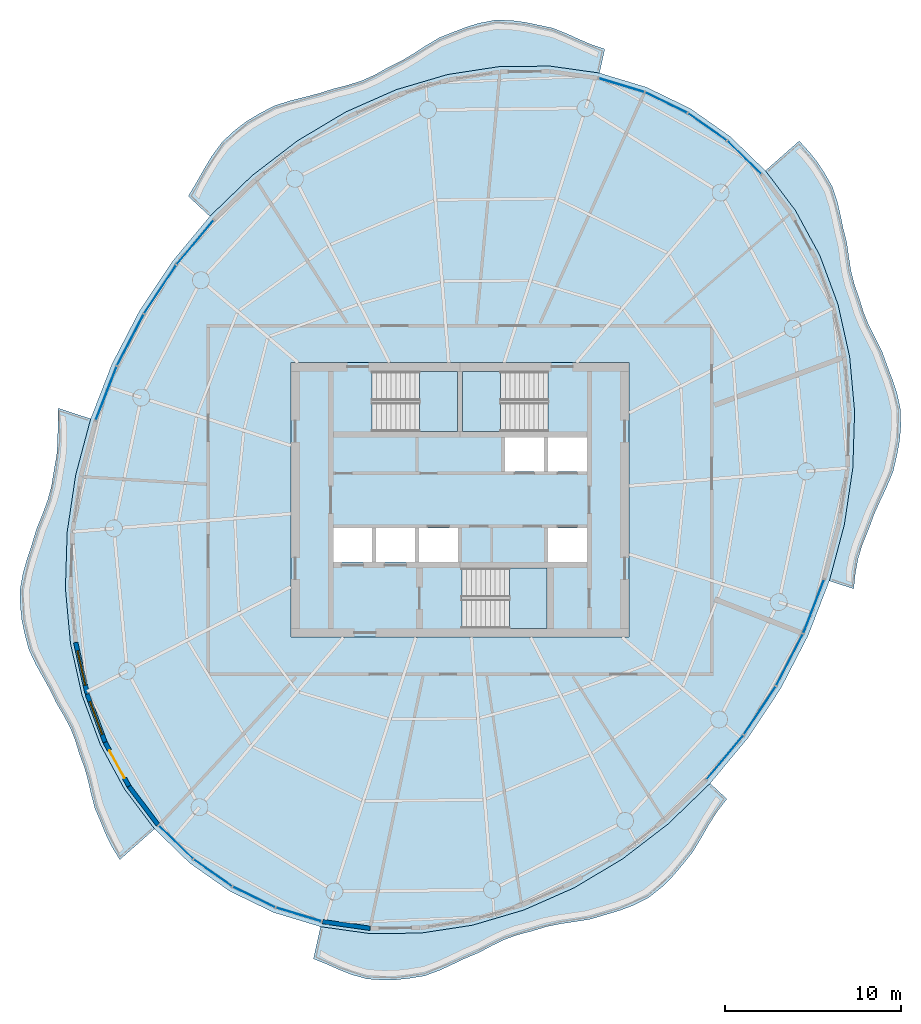
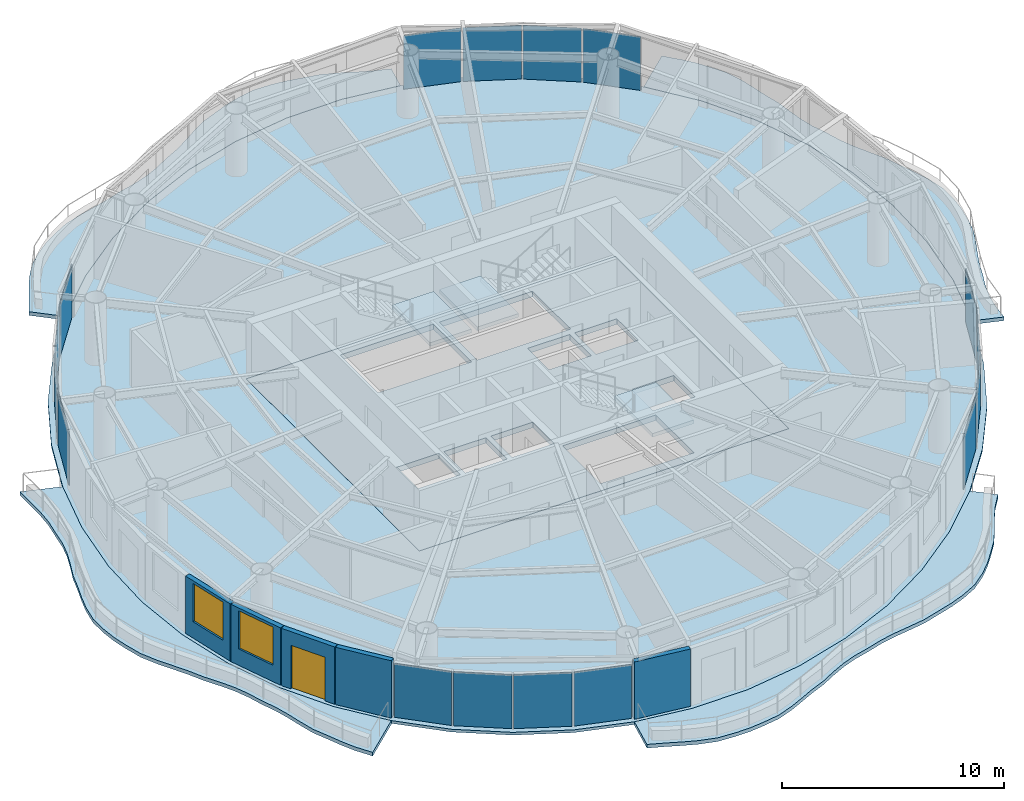
# One storey, part 6 of 13: 16 plates, 9 slabs, 5 walls, 2 windows, 1 door, 3 openings, 19 elements without a shape of their own.
"""IFC4 building model written with IfcOpenShell, lengths in metres."""

from ifc_helpers import new_model, si_unit, direction, frame, frame_2d, origin, origin_2d, place, context, subcontext, project, spatial, polyline, rectangle, outline, extrude, material, layer, layer_set, type_object, element, fill, aggregate, save


model = new_model("IFC4")

# Units and contexts
model_context = context("Model", 3, precision=1e-05, world=origin(), true_north=direction((0.0, 1.0)))
body_context = subcontext(model_context, "Body", "Model", "MODEL_VIEW")
ifc_project = project(units=[si_unit("LENGTHUNIT", "METRE"), si_unit("AREAUNIT", "SQUARE_METRE"), si_unit("VOLUMEUNIT", "CUBIC_METRE"), si_unit("PLANEANGLEUNIT", "RADIAN"), si_unit("MASSUNIT", "GRAM", prefix="KILO")], contexts=[model_context])

# Site, building, storey
site_placement = place(None, origin())
site = spatial("IfcSite", under=ifc_project, at=site_placement, CompositionType="ELEMENT")
building_placement = place(site_placement, origin())
building = spatial("IfcBuilding", under=site, at=building_placement, Name="Vermilion Reach Broadcast Tower", CompositionType="ELEMENT")
storey_placement = place(building_placement, frame((0.0, 0.0, 272.10009765625)))
storey = spatial("IfcBuildingStorey", under=building, at=storey_placement, Name="L67", CompositionType="ELEMENT", Elevation=272.10009765625)

# Slabs
ifc_material_1 = material(Name="Concrete C40/50", Category="concrete")
ifc_layer_1 = layer(ifc_material_1, 0.199951171875)
ifc_layer_set_1 = layer_set([ifc_layer_1], Name="Balcony slab 200")
slab_type_1 = type_object("IfcSlabType", Name="Balcony slab 200", PredefinedType="FLOOR", material=ifc_layer_set_1)
placement_1 = place(storey_placement, frame((0.0, 0.0, -0.2001953125)))
element("IfcSlab", 1, at=placement_1, inside=storey, type_object=slab_type_1, Name="Balcony slab L67 group 1", PredefinedType="FLOOR", context=body_context, shape_type="SweptSolid", body=[
    extrude(outline(polyline([(1.922119140625, 24.24365234375), (-0.8837890625, 24.63671875), (-3.77734375, 24.608642578125), (-6.708984375, 24.1591796875), (-9.62841796875, 23.296630859375), (-12.48583984375, 22.03515625), (-15.232177734375, 20.39697265625), (-17.820556640625, 18.40966796875), (-20.206787109375, 16.107177734375), (-21.438232421875, 17.250732421875), (-20.946044921875, 18.067138671875), (-20.5224609375, 18.822021484375), (-20.0791015625, 19.556396484375), (-19.491943359375, 20.349365234375), (-18.781494140625, 21.00048828125), (-18.1328125, 21.495361328125), (-17.431396484375, 21.921630859375), (-16.57373046875, 22.37353515625), (-15.657958984375, 22.6708984375), (-14.84814453125, 22.874267578125), (-14.03955078125, 23.079345703125), (-13.1689453125, 23.357666015625), (-12.3115234375, 23.573974609375), (-11.565673828125, 23.818115234375), (-10.85205078125, 24.134765625), (-10.09130859375, 24.55859375), (-9.320068359375, 24.93896484375), (-8.64599609375, 25.343017578125), (-7.97998046875, 25.775146484375), (-7.176513671875, 26.25244140625), (-6.331298828125, 26.5888671875), (-5.623046875, 26.862548828125), (-4.90625, 27.079345703125), (-3.9921875, 27.256591796875), (-3.07958984375, 27.2314453125), (-2.355224609375, 27.138427734375), (-1.63037109375, 26.98974609375), (-0.743408203125, 26.802001953125), (0.08837890625, 26.470458984375), (0.760498046875, 26.1611328125), (1.43505859375, 25.871826171875), (2.221923828125, 25.605712890625), (1.922119140625, 24.24365234375)])), origin(), (0.0, 0.0, 1.0), 0.2001953125),
])
element("IfcSlab", 2, at=placement_1, inside=storey, type_object=slab_type_1, Name="Balcony slab L67 group 2", PredefinedType="FLOOR", context=body_context, shape_type="SweptSolid", body=[
    extrude(outline(polyline([(-26.978515625, 4.60205078125), (-27.8330078125, 1.398193359375), (-28.314208984375, -1.82958984375), (-28.413330078125, -5.02587890625), (-28.129150390625, -8.13623046875), (-27.466064453125, -11.107421875), (-26.435791015625, -13.888671875), (-25.055908203125, -16.43212890625), (-23.35009765625, -18.694580078125), (-25.324462890625, -20.43798828125), (-25.8037109375, -19.65771484375), (-26.1162109375, -19.005859375), (-26.394775390625, -18.328857421875), (-26.743408203125, -17.517578125), (-26.967041015625, -16.645751953125), (-27.1337890625, -15.913330078125), (-27.3330078125, -15.198486328125), (-27.622802734375, -14.42724609375), (-27.86669921875, -13.6279296875), (-28.146240234375, -12.94091796875), (-28.49169921875, -12.278076171875), (-28.92919921875, -11.53955078125), (-29.316650390625, -10.74072265625), (-29.705322265625, -10.047607421875), (-30.093505859375, -9.3544921875), (-30.490234375, -8.506103515625), (-30.73291015625, -7.59033203125), (-30.8935546875, -6.82080078125), (-30.97607421875, -6.044189453125), (-30.993408203125, -5.103515625), (-30.819091796875, -4.1513671875), (-30.591796875, -3.358642578125), (-30.3310546875, -2.56689453125), (-30.061767578125, -1.672607421875), (-29.707275390625, -0.797119140625), (-29.419921875, -0.014892578125), (-29.205810546875, 0.77783203125), (-29.06591796875, 1.653564453125), (-28.91064453125, 2.543701171875), (-28.8505859375, 3.385498046875), (-28.847412109375, 4.24267578125), (-28.845947265625, 5.211669921875), (-26.978515625, 4.60205078125)])), origin(), (0.0, 0.0, 1.0), 0.2001953125),
])
element("IfcSlab", 3, at=placement_1, inside=storey, type_object=slab_type_1, Name="Balcony slab L67 group 3", PredefinedType="FLOOR", context=body_context, shape_type="SweptSolid", body=[
    extrude(outline(polyline([(-13.922119140625, -24.24365234375), (-11.1162109375, -24.63671875), (-8.22265625, -24.608642578125), (-5.291015625, -24.1591796875), (-2.37158203125, -23.296630859375), (0.48583984375, -22.03515625), (3.232177734375, -20.39697265625), (5.820556640625, -18.40966796875), (8.206787109375, -16.107177734375), (9.158935546875, -16.991455078125), (8.6025390625, -17.711181640625), (8.144287109375, -18.43017578125), (7.715087890625, -19.178955078125), (7.206787109375, -20.0185546875), (6.602294921875, -20.767333984375), (6.0625, -21.404052734375), (5.479248046875, -21.983642578125), (4.72119140625, -22.59033203125), (3.867919921875, -23.02294921875), (3.108642578125, -23.31103515625), (2.3193359375, -23.54833984375), (1.406982421875, -23.818603515625), (0.485107421875, -23.96728515625), (-0.316162109375, -24.085693359375), (-1.098876953125, -24.245849609375), (-1.9306640625, -24.4990234375), (-2.7470703125, -24.711669921875), (-3.462890625, -24.974365234375), (-4.15869140625, -25.30517578125), (-4.94189453125, -25.722412109375), (-5.75, -26.059326171875), (-6.44873046875, -26.394287109375), (-7.148681640625, -26.720703125), (-8.025146484375, -27.04248046875), (-8.9208984375, -27.183837890625), (-9.6435546875, -27.26220703125), (-10.366943359375, -27.2724609375), (-11.283447265625, -27.216064453125), (-12.158203125, -26.96826171875), (-12.8359375, -26.699951171875), (-13.50927734375, -26.400390625), (-14.32373046875, -26.068603515625), (-13.922119140625, -24.24365234375)])), origin(), (0.0, 0.0, 1.0), 0.2001953125),
])
element("IfcSlab", 4, at=placement_1, inside=storey, type_object=slab_type_1, Name="Balcony slab L67 group 4", PredefinedType="FLOOR", context=body_context, shape_type="SweptSolid", body=[
    extrude(outline(polyline([(14.978515625, -4.60205078125), (15.8330078125, -1.398193359375), (16.314208984375, 1.82958984375), (16.413330078125, 5.02587890625), (16.129150390625, 8.13623046875), (15.466064453125, 11.107421875), (14.435791015625, 13.888671875), (13.055908203125, 16.43212890625), (11.35009765625, 18.694580078125), (13.267578125, 20.3876953125), (13.877685546875, 19.713134765625), (14.317138671875, 19.157470703125), (14.7041015625, 18.56201171875), (15.153564453125, 17.78125), (15.441162109375, 16.903076171875), (15.608154296875, 16.170654296875), (15.76025390625, 15.43017578125), (15.974365234375, 14.586669921875), (16.09326171875, 13.7119140625), (16.215087890625, 12.96630859375), (16.3955078125, 12.242431640625), (16.671875, 11.463623046875), (16.91796875, 10.651611328125), (17.212890625, 9.937744140625), (17.561279296875, 9.235595703125), (17.968994140625, 8.424560546875), (18.287109375, 7.549560546875), (18.57763671875, 6.7919921875), (18.826416015625, 6.030517578125), (19.027099609375, 5.1044921875), (19.037109375, 4.14453125), (18.968017578125, 3.346923828125), (18.819580078125, 2.551513671875), (18.603271484375, 1.6240234375), (18.231689453125, 0.71875), (17.866455078125, -0.051513671875), (17.51806640625, -0.824462890625), (17.203857421875, -1.68212890625), (16.857421875, -2.529296875), (16.614990234375, -3.322509765625), (16.459716796875, -4.13916015625), (16.36376953125, -5.05419921875), (14.978515625, -4.60205078125)])), origin(), (0.0, 0.0, 1.0), 0.2001953125),
])
ifc_material_2 = material(Name="Concrete C40", Category="concrete")
ifc_layer_2 = layer(ifc_material_2, 0.300048828125)
ifc_layer_set_2 = layer_set([ifc_layer_2], Name="Core floor slab 300 mm Concrete C40")
slab_type_2 = type_object("IfcSlabType", Name="Core floor slab 300 mm Concrete C40", PredefinedType="FLOOR", material=ifc_layer_set_2)
slab_5_placement = place(storey_placement, frame((0.0, 0.0, -0.300048828125)))
element("IfcSlab", 5, at=slab_5_placement, inside=storey, type_object=slab_type_2, Name="L67 core floor", PredefinedType="FLOOR", context=body_context, shape_type="SweptSolid", body=[
    extrude(outline(polyline([(-15.60009765625, -7.800048828125), (3.60009765625, -7.800048828125), (3.60009765625, 7.800048828125), (-15.60009765625, 7.800048828125), (-15.60009765625, -7.800048828125)]), holes=[polyline([(-3.433349609375, 1.60009765625), (-1.24169921875, 1.60009765625), (-1.24169921875, 3.530029296875), (-3.433349609375, 3.530029296875), (-3.433349609375, 1.60009765625)]), polyline([(-0.99169921875, 1.60009765625), (1.199951171875, 1.60009765625), (1.199951171875, 3.530029296875), (-0.99169921875, 3.530029296875), (-0.99169921875, 1.60009765625)]), polyline([(-13.199951171875, -3.530029296875), (-11.00830078125, -3.530029296875), (-11.00830078125, -1.60009765625), (-13.199951171875, -1.60009765625), (-13.199951171875, -3.530029296875)]), polyline([(-10.75830078125, -3.530029296875), (-8.566650390625, -3.530029296875), (-8.566650390625, -1.60009765625), (-10.75830078125, -1.60009765625), (-10.75830078125, -3.530029296875)]), polyline([(-8.316650390625, -3.530029296875), (-6.125, -3.530029296875), (-6.125, -1.60009765625), (-8.316650390625, -1.60009765625), (-8.316650390625, -3.530029296875)]), polyline([(-0.99169921875, -3.530029296875), (1.199951171875, -3.530029296875), (1.199951171875, -1.60009765625), (-0.99169921875, -1.60009765625), (-0.99169921875, -3.530029296875)]), polyline([(-10.999267578125, 3.8798828125), (-6.14990234375, 3.8798828125), (-6.14990234375, 7.300048828125), (-10.999267578125, 7.300048828125), (-10.999267578125, 3.8798828125)]), polyline([(-1.000732421875, 7.300048828125), (-5.85009765625, 7.300048828125), (-5.85009765625, 3.8798828125), (-1.000732421875, 3.8798828125), (-1.000732421875, 7.300048828125)]), polyline([(-5.8994140625, -7.300048828125), (-1.050048828125, -7.300048828125), (-1.050048828125, -3.8798828125), (-5.8994140625, -3.8798828125), (-5.8994140625, -7.300048828125)])]), origin(), (0.0, 0.0, 1.0), 0.300048828125),
])

# Stair, slab
ifc_material_3 = material(Name="Concrete C40", Category="concrete")
stair_type = type_object("IfcStairType", Name="Exit stair RC 22 risers 164 mm", PredefinedType="HALF_TURN_STAIR", material=ifc_material_3)
placement_2 = place(storey_placement, origin())
stair_1 = element("IfcStair", 6, at=placement_2, inside=storey, type_object=stair_type, Name="L67 Exit stair ST1", PredefinedType="HALF_TURN_STAIR")
ifc_material_4 = material(Name="Concrete C40", Category="concrete")
ifc_layer_3 = layer(ifc_material_4, 0.199951171875)
ifc_layer_set_3 = layer_set([ifc_layer_3], Name="Exit stair landing Concrete C40")
slab_type_3 = type_object("IfcSlabType", Name="Exit stair landing Concrete C40", PredefinedType="LANDING", material=ifc_layer_set_3)
placement_3 = place(storey_placement, frame((0.0, 0.0, 1.599853515625)))
slab_6 = element("IfcSlab", 7, at=placement_3, type_object=slab_type_3, Name="ST1 landing 1", PredefinedType="LANDING", context=body_context, shape_type="SweptSolid", body=[
    extrude(outline(polyline([(-8.300048828125, 3.8798828125), (-6.14990234375, 3.8798828125), (-6.14990234375, 7.300048828125), (-8.300048828125, 7.300048828125), (-8.300048828125, 3.8798828125)])), origin(), (0.0, 0.0, 1.0), 0.199951171875),
])
aggregate(stair_1, [slab_6])

stair_2 = element("IfcStair", 8, at=placement_2, inside=storey, type_object=stair_type, Name="L67 Exit stair ST2", PredefinedType="HALF_TURN_STAIR")
slab_7 = element("IfcSlab", 9, at=placement_3, type_object=slab_type_3, Name="ST2 landing 1", PredefinedType="LANDING", context=body_context, shape_type="SweptSolid", body=[
    extrude(outline(polyline([(-3.699951171875, 7.300048828125), (-5.85009765625, 7.300048828125), (-5.85009765625, 3.8798828125), (-3.699951171875, 3.8798828125), (-3.699951171875, 7.300048828125)])), origin(), (0.0, 0.0, 1.0), 0.199951171875),
])
aggregate(stair_2, [slab_7])

stair_3 = element("IfcStair", 10, at=placement_2, inside=storey, type_object=stair_type, Name="L67 Exit stair ST3", PredefinedType="HALF_TURN_STAIR")
slab_8 = element("IfcSlab", 11, at=placement_3, type_object=slab_type_3, Name="ST3 landing 1", PredefinedType="LANDING", context=body_context, shape_type="SweptSolid", body=[
    extrude(outline(polyline([(-3.199951171875, -7.300048828125), (-1.050048828125, -7.300048828125), (-1.050048828125, -3.8798828125), (-3.199951171875, -3.8798828125), (-3.199951171875, -7.300048828125)])), origin(), (0.0, 0.0, 1.0), 0.199951171875),
])
aggregate(stair_3, [slab_8])

# Slab
ifc_material_5 = material(Name="Concrete C40", Category="concrete")
ifc_layer_4 = layer(ifc_material_5, 0.14990234375)
ifc_layer_set_4 = layer_set([ifc_layer_4], Name="Floor slab Concrete C40 composite 150")
slab_type_4 = type_object("IfcSlabType", Name="Floor slab Concrete C40 composite 150", PredefinedType="FLOOR", material=ifc_layer_set_4)
slab_9_placement = place(storey_placement, frame((0.0, 0.0, -0.150146484375)))
element("IfcSlab", 12, at=slab_9_placement, inside=storey, type_object=slab_type_4, Name="Floor slab L67", PredefinedType="FLOOR", context=body_context, shape_type="SweptSolid", body=[
    extrude(outline(polyline([(7.081787109375, 22.226318359375), (4.5927734375, 23.435546875), (1.922119140625, 24.24365234375), (-0.8837890625, 24.63671875), (-3.77734375, 24.608642578125), (-6.708984375, 24.1591796875), (-9.62841796875, 23.296630859375), (-12.48583984375, 22.03515625), (-15.232177734375, 20.39697265625), (-17.820556640625, 18.40966796875), (-20.206787109375, 16.107177734375), (-22.349853515625, 13.529296875), (-24.21337890625, 10.719970703125), (-25.764892578125, 7.72705078125), (-26.978515625, 4.60205078125), (-27.8330078125, 1.398193359375), (-28.314208984375, -1.82958984375), (-28.413330078125, -5.02587890625), (-28.129150390625, -8.13623046875), (-27.466064453125, -11.107421875), (-26.435791015625, -13.888671875), (-25.055908203125, -16.43212890625), (-23.35009765625, -18.694580078125), (-21.347412109375, -20.636962890625), (-19.081787109375, -22.226318359375), (-16.5927734375, -23.435546875), (-13.922119140625, -24.24365234375), (-11.1162109375, -24.63671875), (-8.22265625, -24.608642578125), (-5.291015625, -24.1591796875), (-2.37158203125, -23.296630859375), (0.48583984375, -22.03515625), (3.232177734375, -20.39697265625), (5.820556640625, -18.40966796875), (8.206787109375, -16.107177734375), (10.349853515625, -13.529296875), (12.21337890625, -10.719970703125), (13.764892578125, -7.72705078125), (14.978515625, -4.60205078125), (15.8330078125, -1.398193359375), (16.314208984375, 1.82958984375), (16.413330078125, 5.02587890625), (16.129150390625, 8.13623046875), (15.466064453125, 11.107421875), (14.435791015625, 13.888671875), (13.055908203125, 16.43212890625), (11.35009765625, 18.694580078125), (9.347412109375, 20.636962890625), (7.081787109375, 22.226318359375)]), holes=[polyline([(-15.60009765625, -7.800048828125), (3.60009765625, -7.800048828125), (3.60009765625, 7.800048828125), (-15.60009765625, 7.800048828125), (-15.60009765625, -7.800048828125)])]), origin(), (0.0, 0.0, 1.0), 0.150146484375),
])

# Curtain wall, plate
ifc_material_6 = material(Name="Low-e laminated clear glass in aluminium frame", Category="aluminium")
curtain_wall_type = type_object("IfcCurtainWallType", Name="Slot curtain wall", PredefinedType="NOTDEFINED", material=ifc_material_6)
curtain_wall_1 = element("IfcCurtainWall", 13, at=placement_2, inside=storey, type_object=curtain_wall_type, Name="Slot curtain wall L67 46", PredefinedType="NOTDEFINED")
ifc_material_7 = material(Name="Low-e laminated clear glass", Category="glass")
ifc_layer_5 = layer(ifc_material_7, 0.028076171875)
ifc_layer_set_5 = layer_set([ifc_layer_5], Name="Slot glass panel")
plate_type = type_object("IfcPlateType", Name="Slot glass panel", PredefinedType="CURTAIN_PANEL", material=ifc_layer_set_5)
plate_1_placement = place(storey_placement, frame((10.140625, 19.450927734375, 0.0), z_axis=(0.0, 0.0, 1.0), x_axis=(-0.717827761975, 0.696220729466, 0.0)))
plate_1 = element("IfcPlate", 14, at=plate_1_placement, type_object=plate_type, Name="Slot glass panel L67 46", PredefinedType="CURTAIN_PANEL", context=body_context, shape_type="SweptSolid", body=[
    extrude(rectangle(XDim=2.6630859375, YDim=0.028076171875, at=origin_2d()), origin(), (0.0, 0.0, 1.0), 2.949951171875),
])
aggregate(curtain_wall_1, [plate_1])

curtain_wall_2 = element("IfcCurtainWall", 15, at=placement_2, inside=storey, type_object=curtain_wall_type, Name="Slot curtain wall L67 47", PredefinedType="NOTDEFINED")
plate_2_placement = place(storey_placement, frame((8.04296875, 21.186767578125, 0.0), z_axis=(0.0, 0.0, 1.0), x_axis=(-0.818618550215, 0.574337591704, 0.0)))
plate_2 = element("IfcPlate", 16, at=plate_2_placement, type_object=plate_type, Name="Slot glass panel L67 47", PredefinedType="CURTAIN_PANEL", context=body_context, shape_type="SweptSolid", body=[
    extrude(rectangle(XDim=2.6396484375, YDim=0.028076171875, at=origin_2d()), origin(), (0.0, 0.0, 1.0), 2.949951171875),
])
aggregate(curtain_wall_2, [plate_2])

curtain_wall_3 = element("IfcCurtainWall", 17, at=placement_2, inside=storey, type_object=curtain_wall_type, Name="Slot curtain wall L67 00", PredefinedType="NOTDEFINED")
plate_3_placement = place(storey_placement, frame((5.70654296875, 22.56201171875, 0.0), z_axis=(0.0, 0.0, 1.0), x_axis=(-0.899506275857, 0.436907838901, 0.0)))
plate_3 = element("IfcPlate", 18, at=plate_3_placement, type_object=plate_type, Name="Slot glass panel L67 00", PredefinedType="CURTAIN_PANEL", context=body_context, shape_type="SweptSolid", body=[
    extrude(rectangle(XDim=2.6396484375, YDim=0.028076171875, at=origin_2d()), origin(), (0.0, 0.0, 1.0), 2.949951171875),
])
aggregate(curtain_wall_3, [plate_3])

curtain_wall_4 = element("IfcCurtainWall", 19, at=placement_2, inside=storey, type_object=curtain_wall_type, Name="Slot curtain wall L67 01", PredefinedType="NOTDEFINED")
plate_4_placement = place(storey_placement, frame((3.170654296875, 23.55322265625, 0.0), z_axis=(0.0, 0.0, 1.0), x_axis=(-0.957140656179, 0.289623487115, 0.0)))
plate_4 = element("IfcPlate", 20, at=plate_4_placement, type_object=plate_type, Name="Slot glass panel L67 01", PredefinedType="CURTAIN_PANEL", context=body_context, shape_type="SweptSolid", body=[
    extrude(rectangle(XDim=2.6630859375, YDim=0.028076171875, at=origin_2d()), origin(), (0.0, 0.0, 1.0), 2.949951171875),
])
aggregate(curtain_wall_4, [plate_4])

curtain_wall_5 = element("IfcCurtainWall", 21, at=placement_2, inside=storey, type_object=curtain_wall_type, Name="Slot curtain wall L67 10", PredefinedType="NOTDEFINED")
plate_5_placement = place(storey_placement, frame((-21.048095703125, 14.626708984375, 0.0), z_axis=(0.0, 0.0, 1.0), x_axis=(-0.639271779784, -0.768980878547, 0.0)))
plate_5 = element("IfcPlate", 22, at=plate_5_placement, type_object=plate_type, Name="Slot glass panel L67 10", PredefinedType="CURTAIN_PANEL", context=body_context, shape_type="SweptSolid", body=[
    extrude(rectangle(XDim=3.23974609375, YDim=0.028076171875, at=origin_2d()), origin(), (0.0, 0.0, 1.0), 2.949951171875),
])
aggregate(curtain_wall_5, [plate_5])

curtain_wall_6 = element("IfcCurtainWall", 23, at=placement_2, inside=storey, type_object=curtain_wall_type, Name="Slot curtain wall L67 11", PredefinedType="NOTDEFINED")
plate_6_placement = place(storey_placement, frame((-23.031982421875, 11.958984375, 0.0), z_axis=(0.0, 0.0, 1.0), x_axis=(-0.552727298451, -0.833362186296, 0.0)))
plate_6 = element("IfcPlate", 24, at=plate_6_placement, type_object=plate_type, Name="Slot glass panel L67 11", PredefinedType="CURTAIN_PANEL", context=body_context, shape_type="SweptSolid", body=[
    extrude(rectangle(XDim=3.259033203125, YDim=0.028076171875, at=origin_2d()), origin(), (0.0, 0.0, 1.0), 2.949951171875),
])
aggregate(curtain_wall_6, [plate_6])

curtain_wall_7 = element("IfcCurtainWall", 25, at=placement_2, inside=storey, type_object=curtain_wall_type, Name="Slot curtain wall L67 12", PredefinedType="NOTDEFINED")
plate_7_placement = place(storey_placement, frame((-24.72314453125, 9.085693359375, 0.0), z_axis=(0.0, 0.0, 1.0), x_axis=(-0.46028786976, -0.887769720678, 0.0)))
plate_7 = element("IfcPlate", 26, at=plate_7_placement, type_object=plate_type, Name="Slot glass panel L67 12", PredefinedType="CURTAIN_PANEL", context=body_context, shape_type="SweptSolid", body=[
    extrude(rectangle(XDim=3.259033203125, YDim=0.028076171875, at=origin_2d()), origin(), (0.0, 0.0, 1.0), 2.949951171875),
])
aggregate(curtain_wall_7, [plate_7])

curtain_wall_8 = element("IfcCurtainWall", 27, at=placement_2, inside=storey, type_object=curtain_wall_type, Name="Slot curtain wall L67 13", PredefinedType="NOTDEFINED")
plate_8_placement = place(storey_placement, frame((-26.092529296875, 6.05615234375, 0.0), z_axis=(0.0, 0.0, 1.0), x_axis=(-0.361989854727, -0.932182034302, 0.0)))
plate_8 = element("IfcPlate", 28, at=plate_8_placement, type_object=plate_type, Name="Slot glass panel L67 13", PredefinedType="CURTAIN_PANEL", context=body_context, shape_type="SweptSolid", body=[
    extrude(rectangle(XDim=3.23974609375, YDim=0.028076171875, at=origin_2d()), origin(), (0.0, 0.0, 1.0), 2.949951171875),
])
aggregate(curtain_wall_8, [plate_8])

curtain_wall_9 = element("IfcCurtainWall", 29, at=placement_2, inside=storey, type_object=curtain_wall_type, Name="Slot curtain wall L67 22", PredefinedType="NOTDEFINED")
plate_9_placement = place(storey_placement, frame((-22.140625, -19.450927734375, 0.0), z_axis=(0.0, 0.0, 1.0), x_axis=(0.717827761975, -0.696220729466, 0.0)))
plate_9 = element("IfcPlate", 30, at=plate_9_placement, type_object=plate_type, Name="Slot glass panel L67 22", PredefinedType="CURTAIN_PANEL", context=body_context, shape_type="SweptSolid", body=[
    extrude(rectangle(XDim=2.6630859375, YDim=0.028076171875, at=origin_2d()), origin(), (0.0, 0.0, 1.0), 2.949951171875),
])
aggregate(curtain_wall_9, [plate_9])

curtain_wall_10 = element("IfcCurtainWall", 31, at=placement_2, inside=storey, type_object=curtain_wall_type, Name="Slot curtain wall L67 23", PredefinedType="NOTDEFINED")
plate_10_placement = place(storey_placement, frame((-20.04296875, -21.186767578125, 0.0), z_axis=(0.0, 0.0, 1.0), x_axis=(0.818618550215, -0.574337591704, 0.0)))
plate_10 = element("IfcPlate", 32, at=plate_10_placement, type_object=plate_type, Name="Slot glass panel L67 23", PredefinedType="CURTAIN_PANEL", context=body_context, shape_type="SweptSolid", body=[
    extrude(rectangle(XDim=2.6396484375, YDim=0.028076171875, at=origin_2d()), origin(), (0.0, 0.0, 1.0), 2.949951171875),
])
aggregate(curtain_wall_10, [plate_10])

curtain_wall_11 = element("IfcCurtainWall", 33, at=placement_2, inside=storey, type_object=curtain_wall_type, Name="Slot curtain wall L67 24", PredefinedType="NOTDEFINED")
plate_11_placement = place(storey_placement, frame((-17.70654296875, -22.56201171875, 0.0), z_axis=(0.0, 0.0, 1.0), x_axis=(0.899506275857, -0.436907838901, 0.0)))
plate_11 = element("IfcPlate", 34, at=plate_11_placement, type_object=plate_type, Name="Slot glass panel L67 24", PredefinedType="CURTAIN_PANEL", context=body_context, shape_type="SweptSolid", body=[
    extrude(rectangle(XDim=2.6396484375, YDim=0.028076171875, at=origin_2d()), origin(), (0.0, 0.0, 1.0), 2.949951171875),
])
aggregate(curtain_wall_11, [plate_11])

curtain_wall_12 = element("IfcCurtainWall", 35, at=placement_2, inside=storey, type_object=curtain_wall_type, Name="Slot curtain wall L67 25", PredefinedType="NOTDEFINED")
plate_12_placement = place(storey_placement, frame((-15.170654296875, -23.55322265625, 0.0), z_axis=(0.0, 0.0, 1.0), x_axis=(0.957140656179, -0.289623487115, 0.0)))
plate_12 = element("IfcPlate", 36, at=plate_12_placement, type_object=plate_type, Name="Slot glass panel L67 25", PredefinedType="CURTAIN_PANEL", context=body_context, shape_type="SweptSolid", body=[
    extrude(rectangle(XDim=2.6630859375, YDim=0.028076171875, at=origin_2d()), origin(), (0.0, 0.0, 1.0), 2.949951171875),
])
aggregate(curtain_wall_12, [plate_12])

curtain_wall_13 = element("IfcCurtainWall", 37, at=placement_2, inside=storey, type_object=curtain_wall_type, Name="Slot curtain wall L67 34", PredefinedType="NOTDEFINED")
plate_13_placement = place(storey_placement, frame((9.048095703125, -14.626708984375, 0.0), z_axis=(0.0, 0.0, 1.0), x_axis=(0.639271779784, 0.768980878547, 0.0)))
plate_13 = element("IfcPlate", 38, at=plate_13_placement, type_object=plate_type, Name="Slot glass panel L67 34", PredefinedType="CURTAIN_PANEL", context=body_context, shape_type="SweptSolid", body=[
    extrude(rectangle(XDim=3.23974609375, YDim=0.028076171875, at=origin_2d()), origin(), (0.0, 0.0, 1.0), 2.949951171875),
])
aggregate(curtain_wall_13, [plate_13])

curtain_wall_14 = element("IfcCurtainWall", 39, at=placement_2, inside=storey, type_object=curtain_wall_type, Name="Slot curtain wall L67 35", PredefinedType="NOTDEFINED")
plate_14_placement = place(storey_placement, frame((11.031982421875, -11.958984375, 0.0), z_axis=(0.0, 0.0, 1.0), x_axis=(0.552727298451, 0.833362186296, 0.0)))
plate_14 = element("IfcPlate", 40, at=plate_14_placement, type_object=plate_type, Name="Slot glass panel L67 35", PredefinedType="CURTAIN_PANEL", context=body_context, shape_type="SweptSolid", body=[
    extrude(rectangle(XDim=3.259033203125, YDim=0.028076171875, at=origin_2d()), origin(), (0.0, 0.0, 1.0), 2.949951171875),
])
aggregate(curtain_wall_14, [plate_14])

curtain_wall_15 = element("IfcCurtainWall", 41, at=placement_2, inside=storey, type_object=curtain_wall_type, Name="Slot curtain wall L67 36", PredefinedType="NOTDEFINED")
plate_15_placement = place(storey_placement, frame((12.72314453125, -9.085693359375, 0.0), z_axis=(0.0, 0.0, 1.0), x_axis=(0.46028786976, 0.887769720678, 0.0)))
plate_15 = element("IfcPlate", 42, at=plate_15_placement, type_object=plate_type, Name="Slot glass panel L67 36", PredefinedType="CURTAIN_PANEL", context=body_context, shape_type="SweptSolid", body=[
    extrude(rectangle(XDim=3.259033203125, YDim=0.028076171875, at=origin_2d()), origin(), (0.0, 0.0, 1.0), 2.949951171875),
])
aggregate(curtain_wall_15, [plate_15])

curtain_wall_16 = element("IfcCurtainWall", 43, at=placement_2, inside=storey, type_object=curtain_wall_type, Name="Slot curtain wall L67 37", PredefinedType="NOTDEFINED")
plate_16_placement = place(storey_placement, frame((14.092529296875, -6.05615234375, 0.0), z_axis=(0.0, 0.0, 1.0), x_axis=(0.361989854727, 0.932182034302, 0.0)))
plate_16 = element("IfcPlate", 44, at=plate_16_placement, type_object=plate_type, Name="Slot glass panel L67 37", PredefinedType="CURTAIN_PANEL", context=body_context, shape_type="SweptSolid", body=[
    extrude(rectangle(XDim=3.23974609375, YDim=0.028076171875, at=origin_2d()), origin(), (0.0, 0.0, 1.0), 2.949951171875),
])
aggregate(curtain_wall_16, [plate_16])

# Wall, opening, window
ifc_material_8 = material(Name="Terracotta rainscreen cladding", Category="masonry")
ifc_layer_6 = layer(ifc_material_8, 0.25)
ifc_layer_set_6 = layer_set([ifc_layer_6], Name="Terracotta rainscreen wall 250")
wall_type = type_object("IfcWallType", Name="Terracotta rainscreen wall 250", PredefinedType="SOLIDWALL", material=ifc_layer_set_6)
wall_1_placement = place(storey_placement, frame((-27.830078125, -8.101806640625, 0.0), z_axis=(0.0, 0.0, 1.0), x_axis=(0.217728327431, -0.976009413599, 0.0)))
wall_1 = element("IfcWall", 45, at=wall_1_placement, inside=storey, type_object=wall_type, Name="External wall L67 18", PredefinedType="SOLIDWALL", context=body_context, shape_type="SweptSolid", body=[
    extrude(rectangle(XDim=2.98046875, YDim=0.25, at=frame_2d((1.490234375, 0.0))), origin(), (0.0, 0.0, 1.0), 3.14990234375),
])
opening_1_placement = place(wall_1_placement, frame((0.490234375, 0.0, 0.89990234375)))
opening_1 = element("IfcOpeningElement", 46, at=opening_1_placement, cuts=wall_1, Name="Opening W03", PredefinedType="OPENING", context=body_context, shape_type="SweptSolid", body=[
    extrude(rectangle(XDim=2.0, YDim=2.10009765625, at=frame_2d((1.0, 1.050048828125))), frame((0.0, 0.135009765625, 0.0), z_axis=(0.0, -1.0, 0.0), x_axis=(1.0, 0.0, 0.0)), (0.0, 0.0, 1.0), 0.27001953125),
])
ifc_material_9 = material(Name="Low-e laminated clear glass in aluminium frame", Category="aluminium")
window_type = type_object("IfcWindowType", Name="Punched window 2000 x 2100 sill 900", PartitioningType="SINGLE_PANEL", PredefinedType="WINDOW", material=ifc_material_9)
window_1_placement = place(opening_1_placement, origin())
window_1 = element("IfcWindow", 47, at=window_1_placement, inside=storey, type_object=window_type, Name="Window L67 18", OverallHeight=2.10009765625, OverallWidth=2.0, PartitioningType="SINGLE_PANEL", PredefinedType="WINDOW", context=body_context, shape_type="SweptSolid", body=[
    extrude(rectangle(XDim=2.0, YDim=2.10009765625, at=frame_2d((1.0, 1.050048828125))), frame((0.0, 0.030029296875, 0.0), z_axis=(0.0, -1.0, 0.0), x_axis=(1.0, 0.0, 0.0)), (0.0, 0.0, 1.0), 0.06005859375),
])
fill(opening_1, window_1)

wall_2_placement = place(storey_placement, frame((-27.174072265625, -11.034423828125, 0.0), z_axis=(0.0, 0.0, 1.0), x_axis=(0.347382924833, -0.937723361943, 0.0)))
wall_2 = element("IfcWall", 48, at=wall_2_placement, inside=storey, type_object=wall_type, Name="External wall L67 19", PredefinedType="SOLIDWALL", context=body_context, shape_type="SweptSolid", body=[
    extrude(rectangle(XDim=2.899169921875, YDim=0.25, at=frame_2d((1.44970703125, 0.0))), origin(), (0.0, 0.0, 1.0), 3.14990234375),
])
opening_2_placement = place(wall_2_placement, frame((0.449462890625, 0.0, 0.89990234375)))
opening_2 = element("IfcOpeningElement", 49, at=opening_2_placement, cuts=wall_2, Name="Opening W03", PredefinedType="OPENING", context=body_context, shape_type="SweptSolid", body=[
    extrude(rectangle(XDim=2.0, YDim=2.10009765625, at=frame_2d((1.0, 1.050048828125))), frame((0.0, 0.135009765625, 0.0), z_axis=(0.0, -1.0, 0.0), x_axis=(1.0, 0.0, 0.0)), (0.0, 0.0, 1.0), 0.27001953125),
])
window_2_placement = place(opening_2_placement, origin())
window_2 = element("IfcWindow", 50, at=window_2_placement, inside=storey, type_object=window_type, Name="Window L67 19", OverallHeight=2.10009765625, OverallWidth=2.0, PartitioningType="SINGLE_PANEL", PredefinedType="WINDOW", context=body_context, shape_type="SweptSolid", body=[
    extrude(rectangle(XDim=2.0, YDim=2.10009765625, at=frame_2d((1.0, 1.050048828125))), frame((0.0, 0.030029296875, 0.0), z_axis=(0.0, -1.0, 0.0), x_axis=(1.0, 0.0, 0.0)), (0.0, 0.0, 1.0), 0.06005859375),
])
fill(opening_2, window_2)

# Wall, opening, door
wall_3_placement = place(storey_placement, frame((-26.156494140625, -13.7763671875, 0.0), z_axis=(0.0, 0.0, 1.0), x_axis=(0.476845701511, -0.878987017509, 0.0)))
wall_3 = element("IfcWall", 51, at=wall_3_placement, inside=storey, type_object=wall_type, Name="External wall L67 20", PredefinedType="SOLIDWALL", context=body_context, shape_type="SweptSolid", body=[
    extrude(rectangle(XDim=2.82373046875, YDim=0.25, at=frame_2d((1.411865234375, 0.0))), origin(), (0.0, 0.0, 1.0), 3.14990234375),
])
opening_3_placement = place(wall_3_placement, frame((0.511962890625, 0.0, 0.0)))
opening_3 = element("IfcOpeningElement", 52, at=opening_3_placement, cuts=wall_3, Name="Opening D70", PredefinedType="OPENING", context=body_context, shape_type="SweptSolid", body=[
    extrude(rectangle(XDim=1.800048828125, YDim=2.39990234375, at=frame_2d((0.89990234375, 1.199951171875))), frame((0.0, 0.135009765625, 0.0), z_axis=(0.0, -1.0, 0.0), x_axis=(1.0, 0.0, 0.0)), (0.0, 0.0, 1.0), 0.27001953125),
])
ifc_material_10 = material(Name="Low-e laminated clear glass in aluminium frame", Category="aluminium")
door_type = type_object("IfcDoorType", Name="Balcony sliding door 1800 x 2400", OperationType="DOUBLE_DOOR_SLIDING", PredefinedType="DOOR", material=ifc_material_10)
door_placement = place(opening_3_placement, origin())
door = element("IfcDoor", 53, at=door_placement, inside=storey, type_object=door_type, Name="Balcony door L67 run 05", OperationType="DOUBLE_DOOR_SLIDING", OverallHeight=2.39990234375, OverallWidth=1.800048828125, PredefinedType="DOOR", context=body_context, shape_type="SweptSolid", body=[
    extrude(rectangle(XDim=1.800048828125, YDim=2.39990234375, at=frame_2d((0.89990234375, 1.199951171875))), frame((0.0, 0.02490234375, 0.0), z_axis=(0.0, -1.0, 0.0), x_axis=(1.0, 0.0, 0.0)), (0.0, 0.0, 1.0), 0.050048828125),
])
fill(opening_3, door)

# Walls
wall_4_placement = place(storey_placement, frame((-24.795654296875, -16.28076171875, 0.0), z_axis=(0.0, 0.0, 1.0), x_axis=(0.602094992284, -0.798424461215, 0.0)))
element("IfcWall", 54, at=wall_4_placement, inside=storey, type_object=wall_type, Name="External wall L67 21", PredefinedType="SOLIDWALL", context=body_context, shape_type="SweptSolid", body=[
    extrude(rectangle(XDim=2.719482421875, YDim=0.25, at=frame_2d((1.35986328125, 0.0))), origin(), (0.0, 0.0, 1.0), 3.14990234375),
])
wall_5_placement = place(storey_placement, frame((-13.803466796875, -23.958251953125, 0.0), z_axis=(0.0, 0.0, 1.0), x_axis=(0.99032300217, -0.138781667998, 0.0)))
element("IfcWall", 55, at=wall_5_placement, inside=storey, type_object=wall_type, Name="External wall L67 26", PredefinedType="SOLIDWALL", context=body_context, shape_type="SweptSolid", body=[
    extrude(rectangle(XDim=2.7197265625, YDim=0.25, at=frame_2d((1.35986328125, 0.0))), origin(), (0.0, 0.0, 1.0), 3.14990234375),
])

save(model, "model.ifc")
